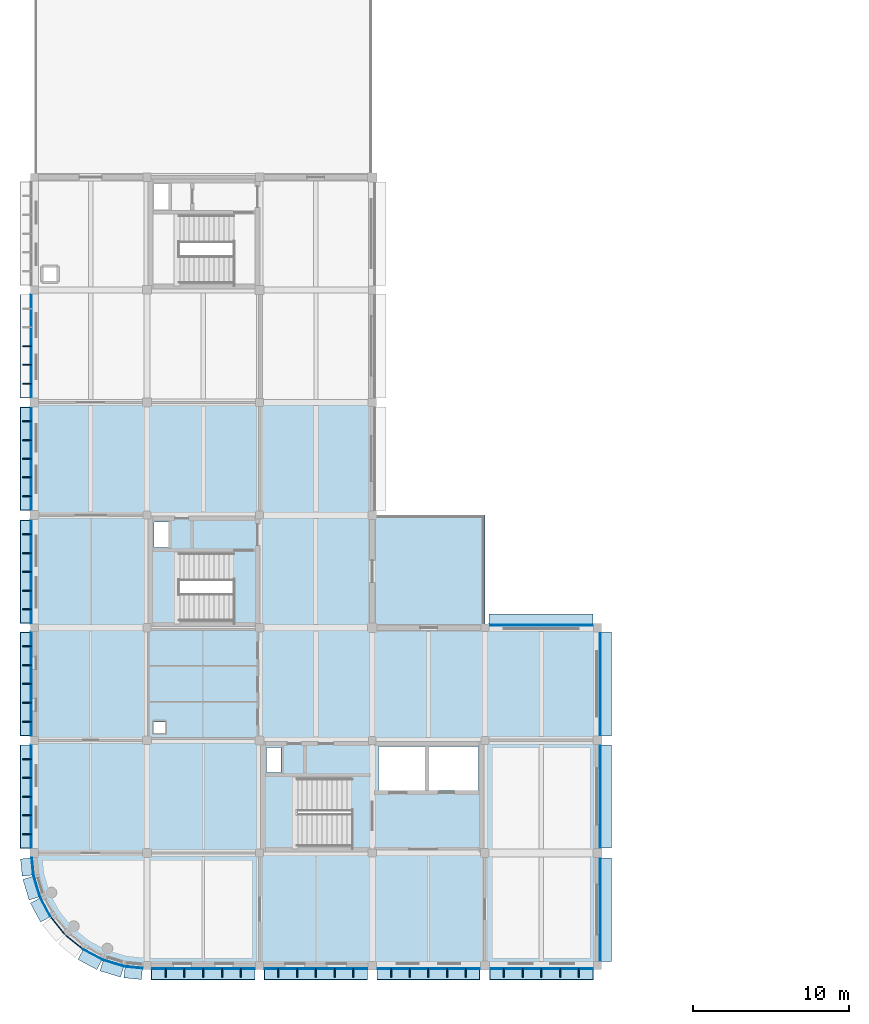
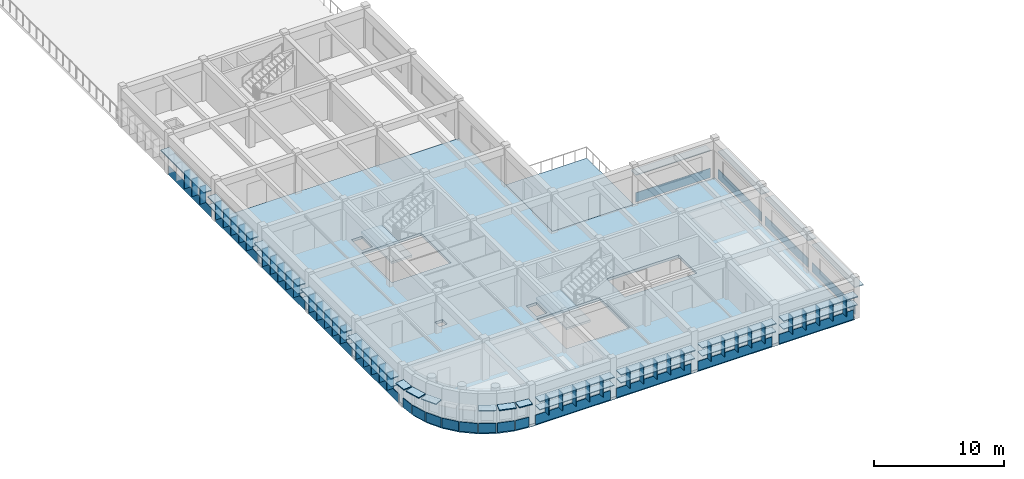
# One storey, part 5 of 22: 91 plates, 4 slabs, 2 elements without a shape of their own.
"""IFC4 building model written with IfcOpenShell, lengths in metres."""

from ifc_helpers import new_model, si_unit, direction, frame, origin, origin_2d, place, context, subcontext, project, spatial, polyline, rectangle, outline, extrude, material, layer, layer_set, type_object, element, aggregate, save


model = new_model("IFC4")

# Units and contexts
model_context = context("Model", 3, precision=1e-05, world=origin(), true_north=direction((0.0, 1.0)))
body_context = subcontext(model_context, "Body", "Model", "MODEL_VIEW")
ifc_project = project(units=[si_unit("LENGTHUNIT", "METRE"), si_unit("AREAUNIT", "SQUARE_METRE"), si_unit("VOLUMEUNIT", "CUBIC_METRE"), si_unit("PLANEANGLEUNIT", "RADIAN"), si_unit("MASSUNIT", "GRAM", prefix="KILO")], contexts=[model_context])

# Site, building, storey
site_placement = place(None, origin())
site = spatial("IfcSite", under=ifc_project, at=site_placement, CompositionType="ELEMENT")
building_placement = place(site_placement, origin())
building = spatial("IfcBuilding", under=site, at=building_placement, Name="Thalmaran Polytechnic", CompositionType="ELEMENT")
storey_placement = place(building_placement, frame((0.0, 0.0, 22.800048828125)))
storey = spatial("IfcBuildingStorey", under=building, at=storey_placement, Name="L05", CompositionType="ELEMENT", Elevation=22.800048828125)

# Plates
ifc_material_1 = material(Name="Anodised aluminium spandrel band", Category="aluminium")
ifc_layer_1 = layer(ifc_material_1, 0.054931640625, Name="Anodised aluminium spandrel band")
ifc_layer_set_1 = layer_set([ifc_layer_1], Name="Anodised aluminium spandrel band")
plate_type_1 = type_object("IfcPlateType", Name="PT-BD01", PredefinedType="SHEET", material=ifc_layer_set_1)
for number, where, z_axis, x_axis, name in (
    (1, (2.53076171875, 1.510498046875, 0.02001953125), (0.0, 0.0, 1.0), (-0.773010453363, 0.634393284164, 0.0), "Streamline Horizontal Spandrel Band L05-035"),
    (2, (1.510498046875, 2.53076171875, 0.02001953125), (0.0, 0.0, 1.0), (-0.634393284164, 0.773010453363, 0.0), "Streamline Horizontal Spandrel Band L05-036"),
    (3, (0.708740234375, 3.73046875, 0.02001953125), (0.0, 0.0, 1.0), (-0.471396736826, 0.881921264348, 0.0), "Streamline Horizontal Spandrel Band L05-037"),
    (4, (0.156494140625, 5.0634765625, 0.02001953125), (0.0, 0.0, 1.0), (-0.290284677254, 0.956940335732, 0.0), "Streamline Horizontal Spandrel Band L05-038"),
):
    element("IfcPlate", number, at=place(storey_placement, frame(where, z_axis=z_axis, x_axis=x_axis)), inside=storey, type_object=plate_type_1, Name=name, PredefinedType="SHEET", context=body_context, shape_type="SweptSolid", body=[
        extrude(rectangle(XDim=1.371337890625, YDim=0.054931640625, at=origin_2d()), origin(), (0.0, 0.0, 1.0), 0.8798828125),
    ])
plate_1_placement = place(storey_placement, frame((-0.111328125, 6.341796875, 0.02001953125), z_axis=(0.0, 0.0, 1.0), x_axis=(-0.09801714033, 0.995184726672, 0.0)))
element("IfcPlate", 5, at=plate_1_placement, inside=storey, type_object=plate_type_1, Name="Streamline Horizontal Spandrel Band L05-039", PredefinedType="SHEET", context=body_context, shape_type="SweptSolid", body=[
    extrude(rectangle(XDim=1.096435546875, YDim=0.054931640625, at=origin_2d()), origin(), (0.0, 0.0, 1.0), 0.8798828125),
])
plate_2_placement = place(storey_placement, frame((-0.195068359375, 10.8076171875, 0.02001953125), z_axis=(0.0, 0.0, 1.0), x_axis=(0.0, 1.0, 0.0)))
element("IfcPlate", 6, at=plate_2_placement, inside=storey, type_object=plate_type_1, Name="Streamline Horizontal Spandrel Band L05-040", PredefinedType="SHEET", context=body_context, shape_type="SweptSolid", body=[
    extrude(rectangle(XDim=6.625, YDim=0.054931640625, at=origin_2d()), origin(), (0.0, 0.0, 1.0), 0.8798828125),
])
plate_3_placement = place(storey_placement, frame((-0.195068359375, 18.0048828125, 0.02001953125), z_axis=(0.0, 0.0, 1.0), x_axis=(0.0, 1.0, 0.0)))
element("IfcPlate", 7, at=plate_3_placement, inside=storey, type_object=plate_type_1, Name="Streamline Horizontal Spandrel Band L05-041", PredefinedType="SHEET", context=body_context, shape_type="SweptSolid", body=[
    extrude(rectangle(XDim=6.64990234375, YDim=0.054931640625, at=origin_2d()), origin(), (0.0, 0.0, 1.0), 0.8798828125),
])
plate_4_placement = place(storey_placement, frame((-0.195068359375, 25.179931640625, 0.02001953125), z_axis=(0.0, 0.0, 1.0), x_axis=(0.0, 1.0, 0.0)))
element("IfcPlate", 8, at=plate_4_placement, inside=storey, type_object=plate_type_1, Name="Streamline Horizontal Spandrel Band L05-042", PredefinedType="SHEET", context=body_context, shape_type="SweptSolid", body=[
    extrude(rectangle(XDim=6.6201171875, YDim=0.054931640625, at=origin_2d()), origin(), (0.0, 0.0, 1.0), 0.8798828125),
])
plate_5_placement = place(storey_placement, frame((-0.195068359375, 32.407470703125, 0.02001953125), z_axis=(0.0, 0.0, 1.0), x_axis=(0.0, 1.0, 0.0)))
element("IfcPlate", 9, at=plate_5_placement, inside=storey, type_object=plate_type_1, Name="Streamline Horizontal Spandrel Band L05-043", PredefinedType="SHEET", context=body_context, shape_type="SweptSolid", body=[
    extrude(rectangle(XDim=6.594970703125, YDim=0.054931640625, at=origin_2d()), origin(), (0.0, 0.0, 1.0), 0.8798828125),
])
plate_6_placement = place(storey_placement, frame((-0.195068359375, 39.607421875, 0.02001953125), z_axis=(0.0, 0.0, 1.0), x_axis=(0.0, 1.0, 0.0)))
element("IfcPlate", 10, at=plate_6_placement, inside=storey, type_object=plate_type_1, Name="Streamline Horizontal Spandrel Band L05-044", PredefinedType="SHEET", context=body_context, shape_type="SweptSolid", body=[
    extrude(rectangle(XDim=6.625, YDim=0.054931640625, at=origin_2d()), origin(), (0.0, 0.0, 1.0), 0.8798828125),
])
plate_7_placement = place(storey_placement, frame((32.39501953125, 21.77001953125, 0.02001953125), z_axis=(0.0, 0.0, 1.0), x_axis=(1.0, 0.0, 0.0)))
element("IfcPlate", 11, at=plate_7_placement, inside=storey, type_object=plate_type_1, Name="Streamline Horizontal Spandrel Band L05-054", PredefinedType="SHEET", context=body_context, shape_type="SweptSolid", body=[
    extrude(rectangle(XDim=6.64990234375, YDim=0.054931640625, at=origin_2d()), origin(), (0.0, 0.0, 1.0), 0.8798828125),
])
plate_8_placement = place(storey_placement, frame((36.169921875, 18.007568359375, 0.02001953125), z_axis=(0.0, 0.0, 1.0), x_axis=(0.0, -1.0, 0.0)))
element("IfcPlate", 12, at=plate_8_placement, inside=storey, type_object=plate_type_1, Name="Streamline Horizontal Spandrel Band L05-055", PredefinedType="SHEET", context=body_context, shape_type="SweptSolid", body=[
    extrude(rectangle(XDim=6.625, YDim=0.054931640625, at=origin_2d()), origin(), (0.0, 0.0, 1.0), 0.8798828125),
])
plate_9_placement = place(storey_placement, frame((36.169921875, 10.8076171875, 0.02001953125), z_axis=(0.0, 0.0, 1.0), x_axis=(0.0, -1.0, 0.0)))
element("IfcPlate", 13, at=plate_9_placement, inside=storey, type_object=plate_type_1, Name="Streamline Horizontal Spandrel Band L05-056", PredefinedType="SHEET", context=body_context, shape_type="SweptSolid", body=[
    extrude(rectangle(XDim=6.594970703125, YDim=0.054931640625, at=origin_2d()), origin(), (0.0, 0.0, 1.0), 0.8798828125),
])
for number, where, z_axis, x_axis, name in (
    (14, (36.169921875, 3.580078125, 0.02001953125), (0.0, 0.0, 1.0), (0.0, -1.0, 0.0), "Streamline Horizontal Spandrel Band L05-057"),
    (15, (32.419921875, -0.195068359375, 0.02001953125), (0.0, 0.0, 1.0), (-1.0, 0.0, 0.0), "Streamline Horizontal Spandrel Band L05-058"),
):
    element("IfcPlate", number, at=place(storey_placement, frame(where, z_axis=z_axis, x_axis=x_axis)), inside=storey, type_object=plate_type_1, Name=name, PredefinedType="SHEET", context=body_context, shape_type="SweptSolid", body=[
        extrude(rectangle(XDim=6.6201171875, YDim=0.054931640625, at=origin_2d()), origin(), (0.0, 0.0, 1.0), 0.8798828125),
    ])
plate_10_placement = place(storey_placement, frame((25.1923828125, -0.195068359375, 0.02001953125), z_axis=(0.0, 0.0, 1.0), x_axis=(-1.0, 0.0, 0.0)))
element("IfcPlate", 16, at=plate_10_placement, inside=storey, type_object=plate_type_1, Name="Streamline Horizontal Spandrel Band L05-059", PredefinedType="SHEET", context=body_context, shape_type="SweptSolid", body=[
    extrude(rectangle(XDim=6.594970703125, YDim=0.054931640625, at=origin_2d()), origin(), (0.0, 0.0, 1.0), 0.8798828125),
])
plate_11_placement = place(storey_placement, frame((17.992431640625, -0.195068359375, 0.02001953125), z_axis=(0.0, 0.0, 1.0), x_axis=(-1.0, 0.0, 0.0)))
element("IfcPlate", 17, at=plate_11_placement, inside=storey, type_object=plate_type_1, Name="Streamline Horizontal Spandrel Band L05-060", PredefinedType="SHEET", context=body_context, shape_type="SweptSolid", body=[
    extrude(rectangle(XDim=6.625, YDim=0.054931640625, at=origin_2d()), origin(), (0.0, 0.0, 1.0), 0.8798828125),
])
plate_12_placement = place(storey_placement, frame((10.794921875, -0.195068359375, 0.02001953125), z_axis=(0.0, 0.0, 1.0), x_axis=(-1.0, 0.0, 0.0)))
element("IfcPlate", 18, at=plate_12_placement, inside=storey, type_object=plate_type_1, Name="Streamline Horizontal Spandrel Band L05-061", PredefinedType="SHEET", context=body_context, shape_type="SweptSolid", body=[
    extrude(rectangle(XDim=6.64990234375, YDim=0.054931640625, at=origin_2d()), origin(), (0.0, 0.0, 1.0), 0.8798828125),
])
plate_13_placement = place(storey_placement, frame((6.354248046875, -0.112548828125, 0.02001953125), z_axis=(0.0, 0.0, 1.0), x_axis=(-0.995184726672, 0.09801714033, 0.0)))
element("IfcPlate", 19, at=plate_13_placement, inside=storey, type_object=plate_type_1, Name="Streamline Horizontal Spandrel Band L05-062", PredefinedType="SHEET", context=body_context, shape_type="SweptSolid", body=[
    extrude(rectangle(XDim=1.121337890625, YDim=0.054931640625, at=origin_2d()), origin(), (0.0, 0.0, 1.0), 0.8798828125),
])
for number, where, z_axis, x_axis, name in (
    (20, (5.0634765625, 0.156494140625, 0.02001953125), (0.0, 0.0, 1.0), (-0.956940335732, 0.290284677254, 0.0), "Streamline Horizontal Spandrel Band L05-063"),
    (21, (3.73046875, 0.708740234375, 0.02001953125), (0.0, 0.0, 1.0), (-0.881921264348, 0.471396736826, 0.0), "Streamline Horizontal Spandrel Band L05-064"),
):
    element("IfcPlate", number, at=place(storey_placement, frame(where, z_axis=z_axis, x_axis=x_axis)), inside=storey, type_object=plate_type_1, Name=name, PredefinedType="SHEET", context=body_context, shape_type="SweptSolid", body=[
        extrude(rectangle(XDim=1.371337890625, YDim=0.054931640625, at=origin_2d()), origin(), (0.0, 0.0, 1.0), 0.8798828125),
    ])
ifc_material_2 = material(Name="Anodised aluminium sun-hood eyebrow", Category="aluminium")
ifc_layer_2 = layer(ifc_material_2, 0.0849609375, Name="Anodised aluminium sun-hood eyebrow")
ifc_layer_set_2 = layer_set([ifc_layer_2], Name="Anodised aluminium sun-hood eyebrow")
plate_type_2 = type_object("IfcPlateType", Name="PT-EB01", PredefinedType="SHEET", material=ifc_layer_set_2)
for number, where, z_axis, x_axis, name in (
    (22, (0.404541015625, 3.567626953125, 2.517578125), (0.0, 0.0, 1.0), (-0.471396736826, 0.881921264348, 0.0), "Streamline Sun-Hood Eyebrow L05-037"),
    (23, (-0.173583984375, 4.96337890625, 2.517578125), (0.0, 0.0, 1.0), (-0.290284677254, 0.956940335732, 0.0), "Streamline Sun-Hood Eyebrow L05-038"),
):
    element("IfcPlate", number, at=place(storey_placement, frame(where, z_axis=z_axis, x_axis=x_axis)), inside=storey, type_object=plate_type_2, Name=name, PredefinedType="SHEET", context=body_context, shape_type="SweptSolid", body=[
        extrude(rectangle(XDim=1.371337890625, YDim=0.760009765625, at=origin_2d()), origin(), (0.0, 0.0, 1.0), 0.0849609375),
    ])
plate_14_placement = place(storey_placement, frame((-0.454833984375, 6.307861328125, 2.517578125), z_axis=(0.0, 0.0, 1.0), x_axis=(-0.09801714033, 0.995184726672, 0.0)))
element("IfcPlate", 24, at=plate_14_placement, inside=storey, type_object=plate_type_2, Name="Streamline Sun-Hood Eyebrow L05-039", PredefinedType="SHEET", context=body_context, shape_type="SweptSolid", body=[
    extrude(rectangle(XDim=1.096435546875, YDim=0.760009765625, at=origin_2d()), origin(), (0.0, 0.0, 1.0), 0.0849609375),
])
plate_15_placement = place(storey_placement, frame((-0.5400390625, 10.8076171875, 2.517578125), z_axis=(0.0, 0.0, 1.0), x_axis=(0.0, 1.0, 0.0)))
element("IfcPlate", 25, at=plate_15_placement, inside=storey, type_object=plate_type_2, Name="Streamline Sun-Hood Eyebrow L05-040", PredefinedType="SHEET", context=body_context, shape_type="SweptSolid", body=[
    extrude(rectangle(XDim=6.625, YDim=0.760009765625, at=origin_2d()), origin(), (0.0, 0.0, 1.0), 0.0849609375),
])
plate_16_placement = place(storey_placement, frame((-0.52001953125, 10.8076171875, 1.74267578125), z_axis=(0.0, 0.0, 1.0), x_axis=(0.0, 1.0, 0.0)))
element("IfcPlate", 26, at=plate_16_placement, inside=storey, type_object=plate_type_2, Name="Abu Dhabi Horizontal Solar Louvre L05-040", PredefinedType="SHEET", context=body_context, shape_type="SweptSolid", body=[
    extrude(rectangle(XDim=6.5849609375, YDim=0.719970703125, at=origin_2d()), origin(), (0.0, 0.0, 1.0), 0.074951171875),
])
plate_17_placement = place(storey_placement, frame((-0.5400390625, 18.0048828125, 2.517578125), z_axis=(0.0, 0.0, 1.0), x_axis=(0.0, 1.0, 0.0)))
element("IfcPlate", 27, at=plate_17_placement, inside=storey, type_object=plate_type_2, Name="Streamline Sun-Hood Eyebrow L05-041", PredefinedType="SHEET", context=body_context, shape_type="SweptSolid", body=[
    extrude(rectangle(XDim=6.64990234375, YDim=0.760009765625, at=origin_2d()), origin(), (0.0, 0.0, 1.0), 0.0849609375),
])
plate_18_placement = place(storey_placement, frame((-0.52001953125, 18.0048828125, 1.74267578125), z_axis=(0.0, 0.0, 1.0), x_axis=(0.0, 1.0, 0.0)))
element("IfcPlate", 28, at=plate_18_placement, inside=storey, type_object=plate_type_2, Name="Abu Dhabi Horizontal Solar Louvre L05-041", PredefinedType="SHEET", context=body_context, shape_type="SweptSolid", body=[
    extrude(rectangle(XDim=6.610107421875, YDim=0.719970703125, at=origin_2d()), origin(), (0.0, 0.0, 1.0), 0.074951171875),
])
plate_19_placement = place(storey_placement, frame((-0.5400390625, 25.179931640625, 2.517578125), z_axis=(0.0, 0.0, 1.0), x_axis=(0.0, 1.0, 0.0)))
element("IfcPlate", 29, at=plate_19_placement, inside=storey, type_object=plate_type_2, Name="Streamline Sun-Hood Eyebrow L05-042", PredefinedType="SHEET", context=body_context, shape_type="SweptSolid", body=[
    extrude(rectangle(XDim=6.6201171875, YDim=0.760009765625, at=origin_2d()), origin(), (0.0, 0.0, 1.0), 0.0849609375),
])
plate_20_placement = place(storey_placement, frame((-0.52001953125, 25.179931640625, 1.74267578125), z_axis=(0.0, 0.0, 1.0), x_axis=(0.0, 1.0, 0.0)))
element("IfcPlate", 30, at=plate_20_placement, inside=storey, type_object=plate_type_2, Name="Abu Dhabi Horizontal Solar Louvre L05-042", PredefinedType="SHEET", context=body_context, shape_type="SweptSolid", body=[
    extrude(rectangle(XDim=6.580078125, YDim=0.719970703125, at=origin_2d()), origin(), (0.0, 0.0, 1.0), 0.074951171875),
])
plate_21_placement = place(storey_placement, frame((-0.5400390625, 32.407470703125, 2.517578125), z_axis=(0.0, 0.0, 1.0), x_axis=(0.0, 1.0, 0.0)))
element("IfcPlate", 31, at=plate_21_placement, inside=storey, type_object=plate_type_2, Name="Streamline Sun-Hood Eyebrow L05-043", PredefinedType="SHEET", context=body_context, shape_type="SweptSolid", body=[
    extrude(rectangle(XDim=6.594970703125, YDim=0.760009765625, at=origin_2d()), origin(), (0.0, 0.0, 1.0), 0.0849609375),
])
plate_22_placement = place(storey_placement, frame((-0.52001953125, 32.407470703125, 1.74267578125), z_axis=(0.0, 0.0, 1.0), x_axis=(0.0, 1.0, 0.0)))
element("IfcPlate", 32, at=plate_22_placement, inside=storey, type_object=plate_type_2, Name="Abu Dhabi Horizontal Solar Louvre L05-043", PredefinedType="SHEET", context=body_context, shape_type="SweptSolid", body=[
    extrude(rectangle(XDim=6.554931640625, YDim=0.719970703125, at=origin_2d()), origin(), (0.0, 0.0, 1.0), 0.074951171875),
])
plate_23_placement = place(storey_placement, frame((-0.5400390625, 39.607421875, 2.517578125), z_axis=(0.0, 0.0, 1.0), x_axis=(0.0, 1.0, 0.0)))
element("IfcPlate", 33, at=plate_23_placement, inside=storey, type_object=plate_type_2, Name="Streamline Sun-Hood Eyebrow L05-044", PredefinedType="SHEET", context=body_context, shape_type="SweptSolid", body=[
    extrude(rectangle(XDim=6.625, YDim=0.760009765625, at=origin_2d()), origin(), (0.0, 0.0, 1.0), 0.0849609375),
])
plate_24_placement = place(storey_placement, frame((32.39501953125, 22.114990234375, 2.517578125), z_axis=(0.0, 0.0, 1.0), x_axis=(1.0, 0.0, 0.0)))
element("IfcPlate", 34, at=plate_24_placement, inside=storey, type_object=plate_type_2, Name="Streamline Sun-Hood Eyebrow L05-054", PredefinedType="SHEET", context=body_context, shape_type="SweptSolid", body=[
    extrude(rectangle(XDim=6.64990234375, YDim=0.760009765625, at=origin_2d()), origin(), (0.0, 0.0, 1.0), 0.0849609375),
])
plate_25_placement = place(storey_placement, frame((36.514892578125, 18.007568359375, 2.517578125), z_axis=(0.0, 0.0, 1.0), x_axis=(0.0, -1.0, 0.0)))
element("IfcPlate", 35, at=plate_25_placement, inside=storey, type_object=plate_type_2, Name="Streamline Sun-Hood Eyebrow L05-055", PredefinedType="SHEET", context=body_context, shape_type="SweptSolid", body=[
    extrude(rectangle(XDim=6.625, YDim=0.760009765625, at=origin_2d()), origin(), (0.0, 0.0, 1.0), 0.0849609375),
])
plate_26_placement = place(storey_placement, frame((36.514892578125, 10.8076171875, 2.517578125), z_axis=(0.0, 0.0, 1.0), x_axis=(0.0, -1.0, 0.0)))
element("IfcPlate", 36, at=plate_26_placement, inside=storey, type_object=plate_type_2, Name="Streamline Sun-Hood Eyebrow L05-056", PredefinedType="SHEET", context=body_context, shape_type="SweptSolid", body=[
    extrude(rectangle(XDim=6.594970703125, YDim=0.760009765625, at=origin_2d()), origin(), (0.0, 0.0, 1.0), 0.0849609375),
])
for number, where, z_axis, x_axis, name in (
    (37, (36.514892578125, 3.580078125, 2.517578125), (0.0, 0.0, 1.0), (0.0, -1.0, 0.0), "Streamline Sun-Hood Eyebrow L05-057"),
    (38, (32.419921875, -0.5400390625, 2.517578125), (0.0, 0.0, 1.0), (-1.0, 0.0, 0.0), "Streamline Sun-Hood Eyebrow L05-058"),
):
    element("IfcPlate", number, at=place(storey_placement, frame(where, z_axis=z_axis, x_axis=x_axis)), inside=storey, type_object=plate_type_2, Name=name, PredefinedType="SHEET", context=body_context, shape_type="SweptSolid", body=[
        extrude(rectangle(XDim=6.6201171875, YDim=0.760009765625, at=origin_2d()), origin(), (0.0, 0.0, 1.0), 0.0849609375),
    ])
plate_27_placement = place(storey_placement, frame((32.419921875, -0.52001953125, 1.74267578125), z_axis=(0.0, 0.0, 1.0), x_axis=(-1.0, 0.0, 0.0)))
element("IfcPlate", 39, at=plate_27_placement, inside=storey, type_object=plate_type_2, Name="Abu Dhabi Horizontal Solar Louvre L05-058", PredefinedType="SHEET", context=body_context, shape_type="SweptSolid", body=[
    extrude(rectangle(XDim=6.580078125, YDim=0.719970703125, at=origin_2d()), origin(), (0.0, 0.0, 1.0), 0.074951171875),
])
plate_28_placement = place(storey_placement, frame((25.1923828125, -0.5400390625, 2.517578125), z_axis=(0.0, 0.0, 1.0), x_axis=(-1.0, 0.0, 0.0)))
element("IfcPlate", 40, at=plate_28_placement, inside=storey, type_object=plate_type_2, Name="Streamline Sun-Hood Eyebrow L05-059", PredefinedType="SHEET", context=body_context, shape_type="SweptSolid", body=[
    extrude(rectangle(XDim=6.594970703125, YDim=0.760009765625, at=origin_2d()), origin(), (0.0, 0.0, 1.0), 0.0849609375),
])
plate_29_placement = place(storey_placement, frame((25.1923828125, -0.52001953125, 1.74267578125), z_axis=(0.0, 0.0, 1.0), x_axis=(-1.0, 0.0, 0.0)))
element("IfcPlate", 41, at=plate_29_placement, inside=storey, type_object=plate_type_2, Name="Abu Dhabi Horizontal Solar Louvre L05-059", PredefinedType="SHEET", context=body_context, shape_type="SweptSolid", body=[
    extrude(rectangle(XDim=6.554931640625, YDim=0.719970703125, at=origin_2d()), origin(), (0.0, 0.0, 1.0), 0.074951171875),
])
plate_30_placement = place(storey_placement, frame((17.992431640625, -0.5400390625, 2.517578125), z_axis=(0.0, 0.0, 1.0), x_axis=(-1.0, 0.0, 0.0)))
element("IfcPlate", 42, at=plate_30_placement, inside=storey, type_object=plate_type_2, Name="Streamline Sun-Hood Eyebrow L05-060", PredefinedType="SHEET", context=body_context, shape_type="SweptSolid", body=[
    extrude(rectangle(XDim=6.625, YDim=0.760009765625, at=origin_2d()), origin(), (0.0, 0.0, 1.0), 0.0849609375),
])
plate_31_placement = place(storey_placement, frame((17.992431640625, -0.52001953125, 1.74267578125), z_axis=(0.0, 0.0, 1.0), x_axis=(-1.0, 0.0, 0.0)))
element("IfcPlate", 43, at=plate_31_placement, inside=storey, type_object=plate_type_2, Name="Abu Dhabi Horizontal Solar Louvre L05-060", PredefinedType="SHEET", context=body_context, shape_type="SweptSolid", body=[
    extrude(rectangle(XDim=6.5849609375, YDim=0.719970703125, at=origin_2d()), origin(), (0.0, 0.0, 1.0), 0.074951171875),
])
plate_32_placement = place(storey_placement, frame((10.794921875, -0.5400390625, 2.517578125), z_axis=(0.0, 0.0, 1.0), x_axis=(-1.0, 0.0, 0.0)))
element("IfcPlate", 44, at=plate_32_placement, inside=storey, type_object=plate_type_2, Name="Streamline Sun-Hood Eyebrow L05-061", PredefinedType="SHEET", context=body_context, shape_type="SweptSolid", body=[
    extrude(rectangle(XDim=6.64990234375, YDim=0.760009765625, at=origin_2d()), origin(), (0.0, 0.0, 1.0), 0.0849609375),
])
plate_33_placement = place(storey_placement, frame((10.794921875, -0.52001953125, 1.74267578125), z_axis=(0.0, 0.0, 1.0), x_axis=(-1.0, 0.0, 0.0)))
element("IfcPlate", 45, at=plate_33_placement, inside=storey, type_object=plate_type_2, Name="Abu Dhabi Horizontal Solar Louvre L05-061", PredefinedType="SHEET", context=body_context, shape_type="SweptSolid", body=[
    extrude(rectangle(XDim=6.610107421875, YDim=0.719970703125, at=origin_2d()), origin(), (0.0, 0.0, 1.0), 0.074951171875),
])
plate_34_placement = place(storey_placement, frame((6.3203125, -0.4560546875, 2.517578125), z_axis=(0.0, 0.0, 1.0), x_axis=(-0.995184726672, 0.09801714033, 0.0)))
element("IfcPlate", 46, at=plate_34_placement, inside=storey, type_object=plate_type_2, Name="Streamline Sun-Hood Eyebrow L05-062", PredefinedType="SHEET", context=body_context, shape_type="SweptSolid", body=[
    extrude(rectangle(XDim=1.121337890625, YDim=0.760009765625, at=origin_2d()), origin(), (0.0, 0.0, 1.0), 0.0849609375),
])
for number, where, z_axis, x_axis, name in (
    (47, (4.96337890625, -0.173583984375, 2.517578125), (0.0, 0.0, 1.0), (-0.956940335732, 0.290284677254, 0.0), "Streamline Sun-Hood Eyebrow L05-063"),
    (48, (3.567626953125, 0.404541015625, 2.517578125), (0.0, 0.0, 1.0), (-0.881921264348, 0.471396736826, 0.0), "Streamline Sun-Hood Eyebrow L05-064"),
):
    element("IfcPlate", number, at=place(storey_placement, frame(where, z_axis=z_axis, x_axis=x_axis)), inside=storey, type_object=plate_type_2, Name=name, PredefinedType="SHEET", context=body_context, shape_type="SweptSolid", body=[
        extrude(rectangle(XDim=1.371337890625, YDim=0.760009765625, at=origin_2d()), origin(), (0.0, 0.0, 1.0), 0.0849609375),
    ])
ifc_material_3 = material(Name="Anodised bronze brise-soleil fin")
ifc_layer_3 = layer(ifc_material_3, 0.06494140625, Name="Anodised bronze brise-soleil fin")
ifc_layer_set_3 = layer_set([ifc_layer_3], Name="Anodised bronze brise-soleil fin")
plate_type_3 = type_object("IfcPlateType", Name="PT-FN01", PredefinedType="SHEET", material=ifc_layer_set_3)
for number, where, z_axis, x_axis, name in (
    (49, (-0.4599609375, 8.408203125, 0.89501953125), (0.0, 0.0, 1.0), (0.0, 1.0, 0.0), "Abu Dhabi Solar Brise-Soleil Fin L05-040-1"),
    (50, (-0.4599609375, 9.60791015625, 0.89501953125), (0.0, 0.0, 1.0), (0.0, 1.0, 0.0), "Abu Dhabi Solar Brise-Soleil Fin L05-040-2"),
    (51, (-0.4599609375, 10.8076171875, 0.89501953125), (0.0, 0.0, 1.0), (0.0, 1.0, 0.0), "Abu Dhabi Solar Brise-Soleil Fin L05-040-3"),
    (52, (-0.4599609375, 12.007080078125, 0.89501953125), (0.0, 0.0, 1.0), (0.0, 1.0, 0.0), "Abu Dhabi Solar Brise-Soleil Fin L05-040-4"),
    (53, (-0.4599609375, 13.206787109375, 0.89501953125), (0.0, 0.0, 1.0), (0.0, 1.0, 0.0), "Abu Dhabi Solar Brise-Soleil Fin L05-040-5"),
    (54, (-0.4599609375, 15.5966796875, 0.89501953125), (0.0, 0.0, 1.0), (0.0, 1.0, 0.0), "Abu Dhabi Solar Brise-Soleil Fin L05-041-1"),
    (55, (-0.4599609375, 16.80078125, 0.89501953125), (0.0, 0.0, 1.0), (0.0, 1.0, 0.0), "Abu Dhabi Solar Brise-Soleil Fin L05-041-2"),
    (56, (-0.4599609375, 18.0048828125, 0.89501953125), (0.0, 0.0, 1.0), (0.0, 1.0, 0.0), "Abu Dhabi Solar Brise-Soleil Fin L05-041-3"),
    (57, (-0.4599609375, 19.209228515625, 0.89501953125), (0.0, 0.0, 1.0), (0.0, 1.0, 0.0), "Abu Dhabi Solar Brise-Soleil Fin L05-041-4"),
    (58, (-0.4599609375, 20.413330078125, 0.89501953125), (0.0, 0.0, 1.0), (0.0, 1.0, 0.0), "Abu Dhabi Solar Brise-Soleil Fin L05-041-5"),
    (59, (-0.4599609375, 22.782470703125, 0.89501953125), (0.0, 0.0, 1.0), (0.0, 1.0, 0.0), "Abu Dhabi Solar Brise-Soleil Fin L05-042-1"),
    (60, (-0.4599609375, 23.981201171875, 0.89501953125), (0.0, 0.0, 1.0), (0.0, 1.0, 0.0), "Abu Dhabi Solar Brise-Soleil Fin L05-042-2"),
    (61, (-0.4599609375, 25.179931640625, 0.89501953125), (0.0, 0.0, 1.0), (0.0, 1.0, 0.0), "Abu Dhabi Solar Brise-Soleil Fin L05-042-3"),
    (62, (-0.4599609375, 26.37890625, 0.89501953125), (0.0, 0.0, 1.0), (0.0, 1.0, 0.0), "Abu Dhabi Solar Brise-Soleil Fin L05-042-4"),
    (63, (-0.4599609375, 27.57763671875, 0.89501953125), (0.0, 0.0, 1.0), (0.0, 1.0, 0.0), "Abu Dhabi Solar Brise-Soleil Fin L05-042-5"),
    (64, (-0.4599609375, 30.018798828125, 0.89501953125), (0.0, 0.0, 1.0), (0.0, 1.0, 0.0), "Abu Dhabi Solar Brise-Soleil Fin L05-043-1"),
    (65, (-0.4599609375, 31.213134765625, 0.89501953125), (0.0, 0.0, 1.0), (0.0, 1.0, 0.0), "Abu Dhabi Solar Brise-Soleil Fin L05-043-2"),
    (66, (-0.4599609375, 32.407470703125, 0.89501953125), (0.0, 0.0, 1.0), (0.0, 1.0, 0.0), "Abu Dhabi Solar Brise-Soleil Fin L05-043-3"),
    (67, (-0.4599609375, 33.601806640625, 0.89501953125), (0.0, 0.0, 1.0), (0.0, 1.0, 0.0), "Abu Dhabi Solar Brise-Soleil Fin L05-043-4"),
    (68, (-0.4599609375, 34.796142578125, 0.89501953125), (0.0, 0.0, 1.0), (0.0, 1.0, 0.0), "Abu Dhabi Solar Brise-Soleil Fin L05-043-5"),
    (69, (-0.4599609375, 37.2080078125, 0.89501953125), (0.0, 0.0, 1.0), (0.0, 1.0, 0.0), "Abu Dhabi Solar Brise-Soleil Fin L05-044-1"),
    (70, (-0.4599609375, 38.40771484375, 0.89501953125), (0.0, 0.0, 1.0), (0.0, 1.0, 0.0), "Abu Dhabi Solar Brise-Soleil Fin L05-044-2"),
    (71, (-0.4599609375, 39.607421875, 0.89501953125), (0.0, 0.0, 1.0), (0.0, 1.0, 0.0), "Abu Dhabi Solar Brise-Soleil Fin L05-044-3"),
    (72, (34.817626953125, -0.4599609375, 0.89501953125), (0.0, 0.0, 1.0), (-1.0, 0.0, 0.0), "Abu Dhabi Solar Brise-Soleil Fin L05-058-1"),
    (73, (33.618896484375, -0.4599609375, 0.89501953125), (0.0, 0.0, 1.0), (-1.0, 0.0, 0.0), "Abu Dhabi Solar Brise-Soleil Fin L05-058-2"),
    (74, (32.419921875, -0.4599609375, 0.89501953125), (0.0, 0.0, 1.0), (-1.0, 0.0, 0.0), "Abu Dhabi Solar Brise-Soleil Fin L05-058-3"),
    (75, (31.22119140625, -0.4599609375, 0.89501953125), (0.0, 0.0, 1.0), (-1.0, 0.0, 0.0), "Abu Dhabi Solar Brise-Soleil Fin L05-058-4"),
    (76, (30.0224609375, -0.4599609375, 0.89501953125), (0.0, 0.0, 1.0), (-1.0, 0.0, 0.0), "Abu Dhabi Solar Brise-Soleil Fin L05-058-5"),
    (77, (27.5810546875, -0.4599609375, 0.89501953125), (0.0, 0.0, 1.0), (-1.0, 0.0, 0.0), "Abu Dhabi Solar Brise-Soleil Fin L05-059-1"),
    (78, (26.38671875, -0.4599609375, 0.89501953125), (0.0, 0.0, 1.0), (-1.0, 0.0, 0.0), "Abu Dhabi Solar Brise-Soleil Fin L05-059-2"),
    (79, (25.1923828125, -0.4599609375, 0.89501953125), (0.0, 0.0, 1.0), (-1.0, 0.0, 0.0), "Abu Dhabi Solar Brise-Soleil Fin L05-059-3"),
    (80, (23.998291015625, -0.4599609375, 0.89501953125), (0.0, 0.0, 1.0), (-1.0, 0.0, 0.0), "Abu Dhabi Solar Brise-Soleil Fin L05-059-4"),
    (81, (22.803955078125, -0.4599609375, 0.89501953125), (0.0, 0.0, 1.0), (-1.0, 0.0, 0.0), "Abu Dhabi Solar Brise-Soleil Fin L05-059-5"),
    (82, (20.391845703125, -0.4599609375, 0.89501953125), (0.0, 0.0, 1.0), (-1.0, 0.0, 0.0), "Abu Dhabi Solar Brise-Soleil Fin L05-060-1"),
    (83, (19.192138671875, -0.4599609375, 0.89501953125), (0.0, 0.0, 1.0), (-1.0, 0.0, 0.0), "Abu Dhabi Solar Brise-Soleil Fin L05-060-2"),
    (84, (17.992431640625, -0.4599609375, 0.89501953125), (0.0, 0.0, 1.0), (-1.0, 0.0, 0.0), "Abu Dhabi Solar Brise-Soleil Fin L05-060-3"),
    (85, (16.792724609375, -0.4599609375, 0.89501953125), (0.0, 0.0, 1.0), (-1.0, 0.0, 0.0), "Abu Dhabi Solar Brise-Soleil Fin L05-060-4"),
    (86, (15.593017578125, -0.4599609375, 0.89501953125), (0.0, 0.0, 1.0), (-1.0, 0.0, 0.0), "Abu Dhabi Solar Brise-Soleil Fin L05-060-5"),
    (87, (13.203369140625, -0.4599609375, 0.89501953125), (0.0, 0.0, 1.0), (-1.0, 0.0, 0.0), "Abu Dhabi Solar Brise-Soleil Fin L05-061-1"),
    (88, (11.999267578125, -0.4599609375, 0.89501953125), (0.0, 0.0, 1.0), (-1.0, 0.0, 0.0), "Abu Dhabi Solar Brise-Soleil Fin L05-061-2"),
    (89, (10.794921875, -0.4599609375, 0.89501953125), (0.0, 0.0, 1.0), (-1.0, 0.0, 0.0), "Abu Dhabi Solar Brise-Soleil Fin L05-061-3"),
    (90, (9.5908203125, -0.4599609375, 0.89501953125), (0.0, 0.0, 1.0), (-1.0, 0.0, 0.0), "Abu Dhabi Solar Brise-Soleil Fin L05-061-4"),
    (91, (8.38671875, -0.4599609375, 0.89501953125), (0.0, 0.0, 1.0), (-1.0, 0.0, 0.0), "Abu Dhabi Solar Brise-Soleil Fin L05-061-5"),
):
    element("IfcPlate", number, at=place(storey_placement, frame(where, z_axis=z_axis, x_axis=x_axis)), inside=storey, type_object=plate_type_3, Name=name, PredefinedType="SHEET", context=body_context, shape_type="SweptSolid", body=[
        extrude(rectangle(XDim=0.06494140625, YDim=0.56005859375, at=origin_2d()), origin(), (0.0, 0.0, 1.0), 1.64990234375),
    ])

# Slab
ifc_material_4 = material(Name="Concrete C40/50", Category="concrete")
ifc_layer_4 = layer(ifc_material_4, 0.2451171875, Name="Concrete C40/50")
ifc_layer_set_4 = layer_set([ifc_layer_4], Name="Concrete C40/50")
slab_type_1 = type_object("IfcSlabType", Name="SL-FL07", PredefinedType="FLOOR", material=ifc_layer_set_4)
slab_1_placement = place(storey_placement, frame((0.0, 0.0, -0.2451171875)))
element("IfcSlab", 92, at=slab_1_placement, inside=storey, type_object=slab_type_1, Name="V1S L05 Structural Slab", PredefinedType="FLOOR", context=body_context, shape_type="SweptSolid", body=[
    extrude(outline(polyline([(0.0, 21.60009765625), (0.0, 28.800048828125), (0.0, 36.0), (7.199951171875, 36.0), (14.39990234375, 36.0), (21.60009765625, 36.0), (21.60009765625, 28.800048828125), (21.60009765625, 21.60009765625), (28.800048828125, 21.60009765625), (36.0, 21.60009765625), (36.0, 14.39990234375), (36.0, 7.199951171875), (36.0, 0.0), (28.800048828125, 0.0), (21.60009765625, 0.0), (14.39990234375, 0.0), (7.199951171875, 0.0), (5.79541015625, 0.138427734375), (4.444580078125, 0.548095703125), (3.199951171875, 1.21337890625), (2.10888671875, 2.10888671875), (1.21337890625, 3.199951171875), (0.548095703125, 4.444580078125), (0.138427734375, 5.79541015625), (0.0, 7.199951171875), (0.0, 14.39990234375), (0.0, 21.60009765625)]), holes=[polyline([(28.39990234375, 11.199951171875), (28.39990234375, 14.0), (22.0, 14.0), (22.0, 11.199951171875), (28.39990234375, 11.199951171875)]), polyline([(14.64990234375, 12.0400390625), (14.64990234375, 7.449951171875), (20.280029296875, 7.449951171875), (20.280029296875, 12.0400390625), (14.64990234375, 12.0400390625)]), polyline([(15.760009765625, 13.9599609375), (14.840087890625, 13.9599609375), (14.840087890625, 12.340087890625), (15.760009765625, 12.340087890625), (15.760009765625, 13.9599609375)]), polyline([(7.449951171875, 21.85009765625), (12.719970703125, 21.85009765625), (12.719970703125, 26.43994140625), (7.449951171875, 26.43994140625), (7.449951171875, 21.85009765625)]), polyline([(7.639892578125, 28.360107421875), (7.639892578125, 26.739990234375), (8.56005859375, 26.739990234375), (8.56005859375, 28.360107421875), (7.639892578125, 28.360107421875)]), polyline([(8.35009765625, 15.580078125), (7.64990234375, 15.580078125), (7.64990234375, 14.8798828125), (8.35009765625, 14.8798828125), (8.35009765625, 15.580078125)])]), origin(), (0.0, 0.0, 1.0), 0.2451171875),
])

# Stair, slab
stair_type = type_object("IfcStairType", Name="ST-HT39", PredefinedType="HALF_TURN_STAIR", material=ifc_material_4)
stair_1_placement = place(storey_placement, origin())
stair_1 = element("IfcStair", 93, at=stair_1_placement, inside=storey, type_object=stair_type, Name="Exit Stair ST1 L05", PredefinedType="HALF_TURN_STAIR")
ifc_layer_5 = layer(ifc_material_4, 0.2099609375, Name="Concrete C40/50")
ifc_layer_set_5 = layer_set([ifc_layer_5], Name="Concrete C40/50")
slab_type_2 = type_object("IfcSlabType", Name="SL-LD01", PredefinedType="LANDING", material=ifc_layer_set_5)
slab_2_placement = place(storey_placement, frame((0.0, 0.0, 1.739990234375)))
slab_2 = element("IfcSlab", 94, at=slab_2_placement, type_object=slab_type_2, Name="ST1 L05 Half Landing", PredefinedType="LANDING", context=body_context, shape_type="SweptSolid", body=[
    extrude(outline(polyline([(14.639892578125, 7.43994140625), (16.800048828125, 7.43994140625), (16.800048828125, 12.139892578125), (14.639892578125, 12.139892578125), (14.639892578125, 7.43994140625)])), origin(), (0.0, 0.0, 1.0), 0.2099609375),
])
aggregate(stair_1, [slab_2])

stair_2_placement = place(storey_placement, origin())
stair_2 = element("IfcStair", 95, at=stair_2_placement, inside=storey, type_object=stair_type, Name="Exit Stair ST3 L05", PredefinedType="HALF_TURN_STAIR")
slab_3_placement = place(storey_placement, frame((0.0, 0.0, 1.739990234375)))
slab_3 = element("IfcSlab", 96, at=slab_3_placement, type_object=slab_type_2, Name="ST3 L05 Half Landing", PredefinedType="LANDING", context=body_context, shape_type="SweptSolid", body=[
    extrude(outline(polyline([(7.43994140625, 21.840087890625), (9.260009765625, 21.840087890625), (9.260009765625, 26.5400390625), (7.43994140625, 26.5400390625), (7.43994140625, 21.840087890625)])), origin(), (0.0, 0.0, 1.0), 0.2099609375),
])
aggregate(stair_2, [slab_3])

# Slab
ifc_layer_6 = layer(ifc_material_4, 0.264892578125, Name="Concrete C40/50")
ifc_layer_set_6 = layer_set([ifc_layer_6], Name="Concrete C40/50")
slab_type_3 = type_object("IfcSlabType", Name="SL-TR02", PredefinedType="FLOOR", material=ifc_layer_set_6)
slab_4_placement = place(storey_placement, frame((0.0, 0.0, -0.26513671875)))
element("IfcSlab", 97, at=slab_4_placement, inside=storey, type_object=slab_type_3, Name="V1 L05 Outdoor Terrace Slab", PredefinedType="FLOOR", context=body_context, shape_type="SweptSolid", body=[
    extrude(outline(polyline([(28.800048828125, 21.60009765625), (21.60009765625, 21.60009765625), (21.60009765625, 28.800048828125), (28.800048828125, 28.800048828125), (28.800048828125, 21.60009765625)])), origin(), (0.0, 0.0, 1.0), 0.26513671875),
])

save(model, "model.ifc")
